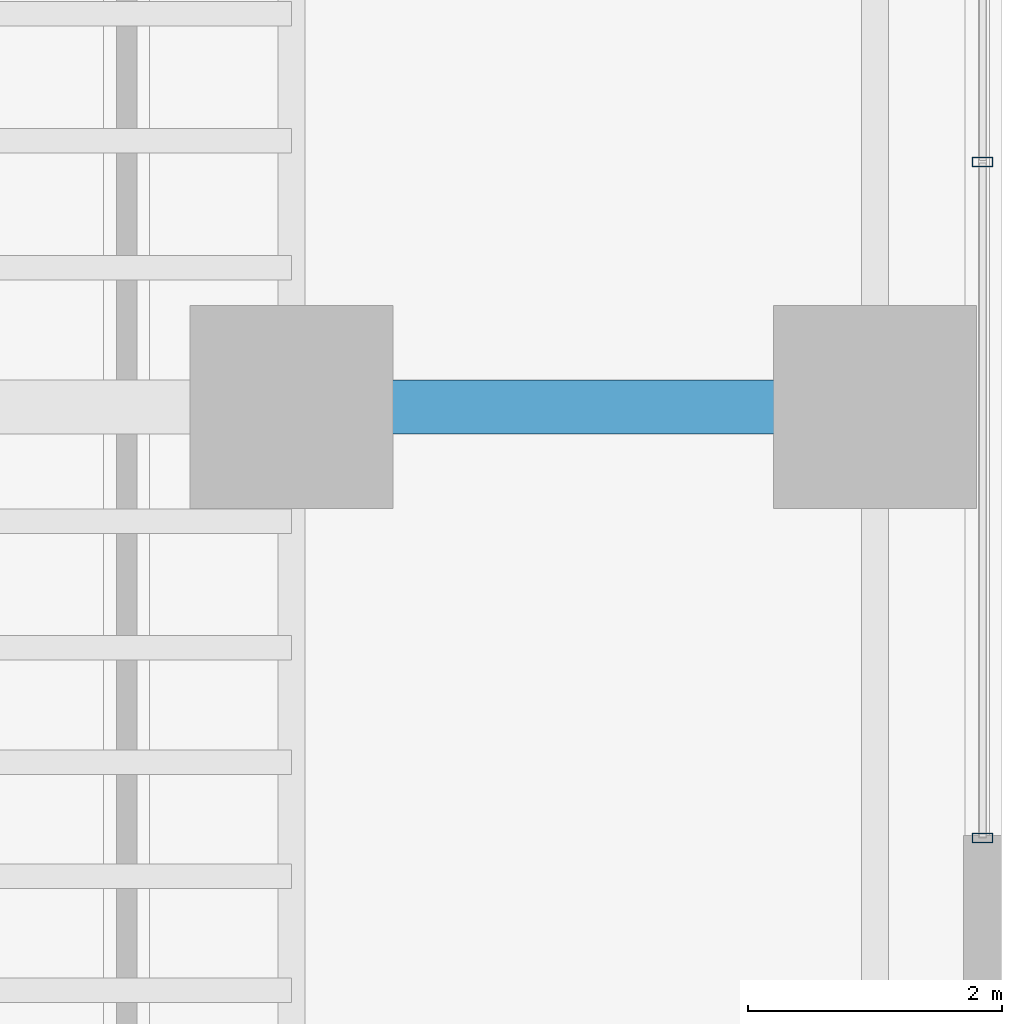
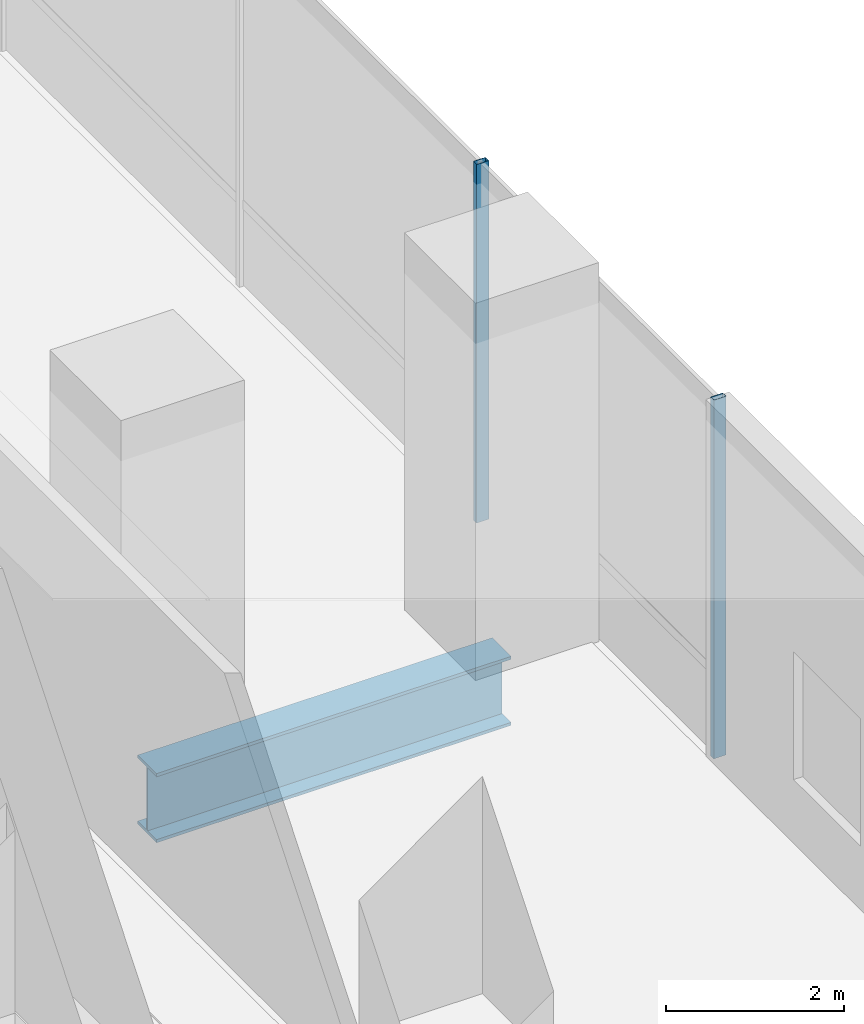
# One storey, part 20 of 39: 2 members, 1 beam, 1 element without a shape of its own.
"""IFC4 building model written with IfcOpenShell, lengths in metres."""

from ifc_helpers import new_model, si_unit, direction, frame, origin, origin_2d, place, context, subcontext, project, spatial, hollow_rectangle, i_section, extrude, source, transform, mapped, material, material_profile, profile_set, type_object, element, aggregate, save


model = new_model("IFC4")

# Units and contexts
model_context = context("Model", 3, precision=1e-05, world=origin(), true_north=direction((0.0, 1.0)))
body_context = subcontext(model_context, "Body", "Model", "MODEL_VIEW")
ifc_project = project(units=[si_unit("LENGTHUNIT", "METRE"), si_unit("AREAUNIT", "SQUARE_METRE"), si_unit("VOLUMEUNIT", "CUBIC_METRE"), si_unit("PLANEANGLEUNIT", "RADIAN"), si_unit("MASSUNIT", "GRAM", prefix="KILO")], contexts=[model_context])

# Site, building, storey
site_placement = place(None, origin())
site = spatial("IfcSite", under=ifc_project, at=site_placement, CompositionType="ELEMENT")
building_placement = place(site_placement, origin())
building = spatial("IfcBuilding", under=site, at=building_placement, Name="Valdorenza Pilgrim Sanctuary Tower", CompositionType="ELEMENT")
storey_placement = place(building_placement, frame((0.0, 0.0, 5.199951171875)))
storey = spatial("IfcBuildingStorey", under=building, at=storey_placement, Name="L01", CompositionType="ELEMENT", Elevation=5.199951171875)

# Beam
ifc_material_1 = material(Name="Steel ASTM A992 Grade 50", Category="steel")
ifc_material_profile_1 = material_profile(ifc_material_1, i_section(OverallWidth=0.423095703125, OverallDepth=0.947998046875, WebThickness=0.02392578125, FlangeThickness=0.042724609375, at=origin_2d()), Name="W36X302")
ifc_profile_set_1 = profile_set([ifc_material_profile_1], Name="Steel ASTM A992 Grade 50")
beam_type = type_object("IfcBeamType", Name="STR-BM-GRD-W36A", PredefinedType="BEAM", material=ifc_profile_set_1)
shared_shape_1 = source(origin(), body_context, "Body", "SweptSolid", [
    extrude(i_section(OverallWidth=0.423095703125, OverallDepth=0.947998046875, WebThickness=0.02392578125, FlangeThickness=0.042724609375, at=origin_2d()), origin(), (0.0, 0.0, 1.0), 4.60009765625),
])
beam_placement = place(storey_placement, frame((28.39990234375, -2.60009765625, -0.75390625), z_axis=(1.0, 0.0, 0.0), x_axis=(0.0, 1.0, 0.0)))
element("IfcBeam", 1, at=beam_placement, inside=storey, type_object=beam_type, Name="L01 Floor Girder POD-E-M0", PredefinedType="BEAM", context=body_context, shape_type="MappedRepresentation", body=[
    mapped(shared_shape_1, transform((0.0, 0.0, 0.0), x_axis=(1.0, 0.0, 0.0), y_axis=(0.0, 1.0, 0.0), z_axis=(0.0, 0.0, 1.0), scale=1.0)),
])

# Curtain wall, members
ifc_material_2 = material(Name="Curtain-wall IGU glazing", Category="glass")
curtain_wall_type = type_object("IfcCurtainWallType", Name="CW-SYS-01", PredefinedType="NOTDEFINED", material=ifc_material_2)
curtain_wall_placement = place(storey_placement, origin())
curtain_wall = element("IfcCurtainWall", 2, at=curtain_wall_placement, inside=storey, type_object=curtain_wall_type, Name="L01 Curtain Wall CW-POD-L01-EE", PredefinedType="NOTDEFINED")
ifc_material_3 = material(Name="Anodised aluminium AW-6060", Category="aluminium")
ifc_material_profile_2 = material_profile(ifc_material_3, hollow_rectangle(XDim=0.074951171875, YDim=0.159912109375, WallThickness=0.00390625, at=origin_2d()), Name="ALU-M 160x75x4")
ifc_profile_set_2 = profile_set([ifc_material_profile_2], Name="Anodised aluminium AW-6060")
member_type = type_object("IfcMemberType", Name="CW-MUL-01", PredefinedType="MULLION", material=ifc_profile_set_2)
shared_shape_2 = source(origin(), body_context, "Body", "SweptSolid", [
    extrude(hollow_rectangle(XDim=0.074951171875, YDim=0.159912109375, WallThickness=0.00390625, at=origin_2d()), origin(), (0.0, 0.0, 1.0), 4.920166015625),
])
member_1_placement = place(storey_placement, frame((33.85009765625, -6.0, 0.0), z_axis=(0.0, 0.0, 1.0), x_axis=(0.0, 1.0, 0.0)))
member_1 = element("IfcMember", 3, at=member_1_placement, type_object=member_type, Name="CW-POD-L01-EE Mullion 1", PredefinedType="MULLION", context=body_context, shape_type="MappedRepresentation", body=[
    mapped(shared_shape_2, transform((0.0, 0.0, 0.0), x_axis=(1.0, 0.0, 0.0), y_axis=(0.0, 1.0, 0.0), z_axis=(0.0, 0.0, 1.0), scale=1.0)),
])
member_2_placement = place(storey_placement, frame((33.85009765625, -0.666748046875, 0.0), z_axis=(0.0, 0.0, 1.0), x_axis=(0.0, 1.0, 0.0)))
member_2 = element("IfcMember", 4, at=member_2_placement, type_object=member_type, Name="CW-POD-L01-EE Mullion 2", PredefinedType="MULLION", context=body_context, shape_type="MappedRepresentation", body=[
    mapped(shared_shape_2, transform((0.0, 0.0, 0.0), x_axis=(1.0, 0.0, 0.0), y_axis=(0.0, 1.0, 0.0), z_axis=(0.0, 0.0, 1.0), scale=1.0)),
])
aggregate(curtain_wall, [member_1, member_2])

save(model, "model.ifc")
